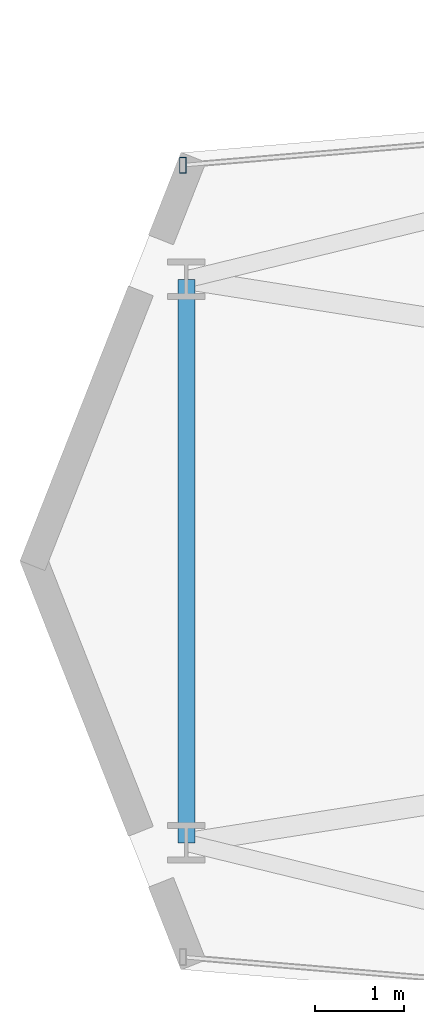
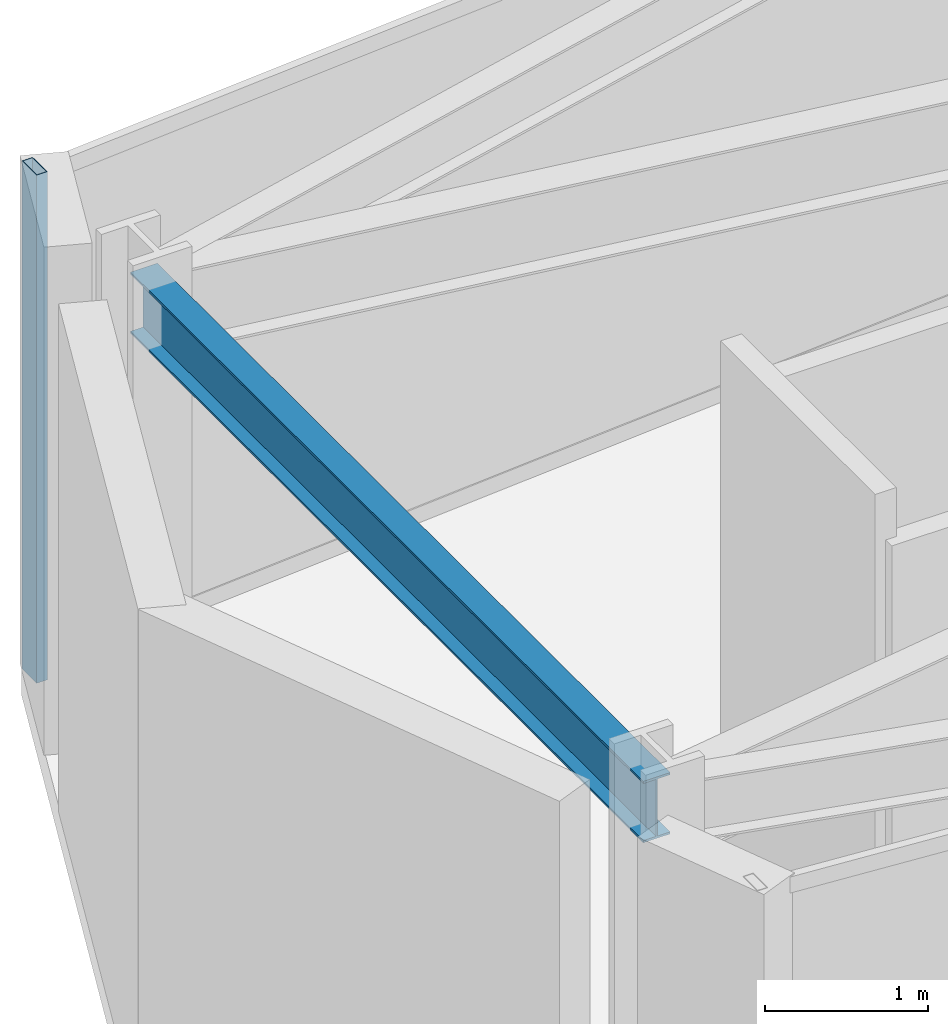
# One storey, part 6 of 25: 1 beam, 1 member, 1 element without a shape of its own.
"""IFC4 building model written with IfcOpenShell, lengths in metres."""

from ifc_helpers import new_model, si_unit, direction, frame, origin, origin_2d, place, context, subcontext, project, spatial, hollow_rectangle, i_section, extrude, material, layer, layer_set, material_profile, profile_set, type_object, element, aggregate, save


model = new_model("IFC4")

# Units and contexts
model_context = context("Model", 3, precision=1e-05, world=origin(), true_north=direction((0.0, 1.0)))
body_context = subcontext(model_context, "Body", "Model", "MODEL_VIEW")
ifc_project = project(units=[si_unit("LENGTHUNIT", "METRE"), si_unit("AREAUNIT", "SQUARE_METRE"), si_unit("VOLUMEUNIT", "CUBIC_METRE"), si_unit("PLANEANGLEUNIT", "RADIAN"), si_unit("MASSUNIT", "GRAM", prefix="KILO")], contexts=[model_context])

# Site, building, storey
site_placement = place(None, origin())
site = spatial("IfcSite", under=ifc_project, at=site_placement, CompositionType="ELEMENT")
building_placement = place(site_placement, origin())
building = spatial("IfcBuilding", under=site, at=building_placement, Name="Veymaron Broadcast Tower", CompositionType="ELEMENT")
storey_placement = place(building_placement, frame((0.0, 0.0, 141.14990234375)))
storey = spatial("IfcBuildingStorey", under=building, at=storey_placement, Name="L32", CompositionType="ELEMENT", Elevation=141.14990234375)

# Beam
ifc_material_1 = material(Name="Structural steel ASTM A992 Gr 50", Category="steel")
ifc_material_profile_1 = material_profile(ifc_material_1, i_section(OverallWidth=0.19091796875, OverallDepth=0.4599609375, WebThickness=0.010009765625, FlangeThickness=0.01611328125, at=origin_2d()), Name="W460X82")
ifc_profile_set_1 = profile_set([ifc_material_profile_1], Name="Structural steel ASTM A992 Gr 50")
beam_type = type_object("IfcBeamType", Name="BM-SP1", PredefinedType="SPANDREL", material=ifc_profile_set_1)
beam_placement = place(storey_placement, frame((11.25, 20.85009765625, 3.580078125), z_axis=(0.0, 1.0, 0.0), x_axis=(-1.0, 0.0, 0.0)))
element("IfcBeam", 1, at=beam_placement, inside=storey, type_object=beam_type, Name="L32 primary structural floor girder", PredefinedType="SPANDREL", context=body_context, shape_type="SweptSolid", body=[
    extrude(i_section(OverallWidth=0.19091796875, OverallDepth=0.4599609375, WebThickness=0.010009765625, FlangeThickness=0.01611328125, at=origin_2d()), origin(), (0.0, 0.0, 1.0), 6.2998046875),
])

# Curtain wall, member
ifc_material_2 = material(Name="Anodised aluminium AA 6063-T6 and laminated low-E dark glass", Category="aluminium")
ifc_layer = layer(ifc_material_2, 0.179931640625)
ifc_layer_set = layer_set([ifc_layer], Name="Anodised aluminium AA 6063-T6 and laminated low-E dark glass")
curtain_wall_type = type_object("IfcCurtainWallType", Name="CW-SYS-03", PredefinedType="NOTDEFINED", material=ifc_layer_set)
curtain_wall_placement = place(storey_placement, origin())
curtain_wall = element("IfcCurtainWall", 2, at=curtain_wall_placement, inside=storey, type_object=curtain_wall_type, Name="L32 dark-glass curtain wall CW-L32-E11-1", PredefinedType="NOTDEFINED")
ifc_material_3 = material(Name="Anodised aluminium AA 6063-T6", Category="aluminium")
ifc_material_profile_2 = material_profile(ifc_material_3, hollow_rectangle(XDim=0.074951171875, YDim=0.179931640625, WallThickness=0.0048828125, at=origin_2d()), Name="AL180X75X5")
ifc_profile_set_2 = profile_set([ifc_material_profile_2], Name="Anodised aluminium AA 6063-T6")
member_type = type_object("IfcMemberType", Name="CW-MUL-02", PredefinedType="MULLION", material=ifc_profile_set_2)
member_placement = place(storey_placement, frame((11.2119140625, 28.42626953125, 0.0), z_axis=(0.0, 0.0, 1.0), x_axis=(1.0, 0.0, 0.0)))
member = element("IfcMember", 3, at=member_placement, type_object=member_type, Name="CW-L32-E11-1 mullion 2", PredefinedType="MULLION", context=body_context, shape_type="SweptSolid", body=[
    extrude(hollow_rectangle(XDim=0.074951171875, YDim=0.179931640625, WallThickness=0.0048828125, at=origin_2d()), origin(), (0.0, 0.0, 1.0), 3.81005859375),
])
aggregate(curtain_wall, [member])

save(model, "model.ifc")
